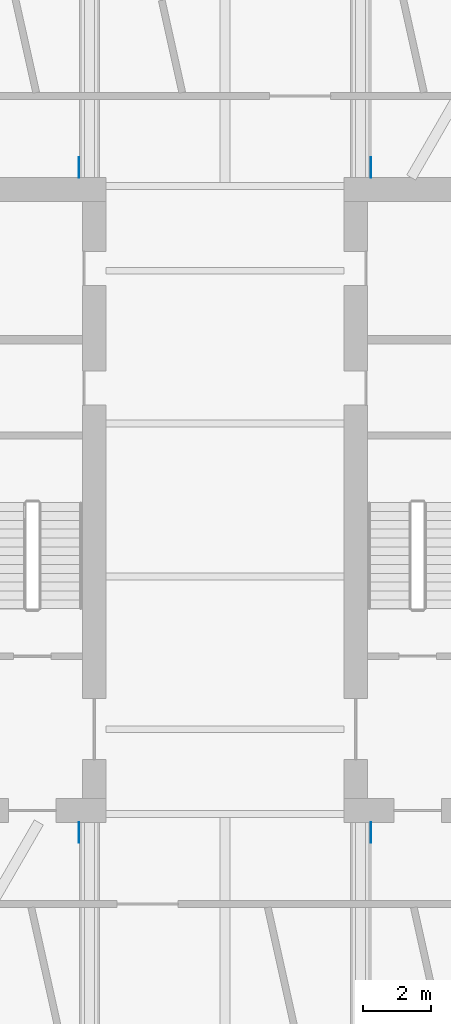
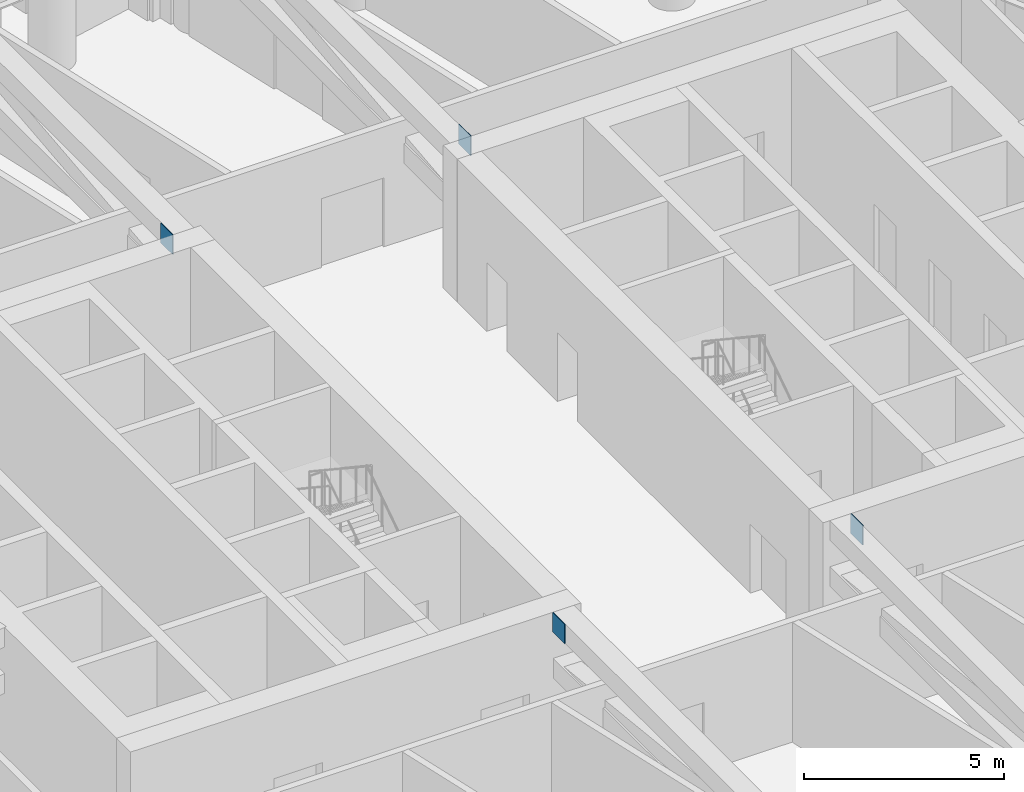
# One storey, part 15 of 22: 4 discrete accessories.
"""IFC4 building model written with IfcOpenShell, lengths in metres."""

import ifcopenshell
import ifcopenshell.guid

model = None  # the IFC model being written
_history = None  # IfcOwnerHistory: only IFC2X3 demands one
_inside = {}  # id of a spatial element -> (the spatial element, [elements in it])
_under = {}  # id of a project, library or spatial element -> (it, [spatial elements below it])
_declared = {}  # id of a project -> (the project, [libraries it declares])
_typed = {}  # id of a type object -> (the type object, [elements of that type])
_made_of = {}  # id of a material, layer set ... -> (it, [elements and type objects made of it])


def new_model(schema):
    """Start an empty IFC model of exactly this schema.

    Asked for "IFC4X3", IfcOpenShell would pick the latest addendum, in which some entities
    have other attributes; the version numbers below select the first issue.
    IFC2X3 requires an IfcOwnerHistory on every rooted entity: one is made here for all.
    """
    global model, _history
    if schema == "IFC4X3":
        model = ifcopenshell.file(schema_version=(4, 3, 0, 0))
    else:
        model = ifcopenshell.file(schema=schema)
    _inside.clear()
    _under.clear()
    _declared.clear()
    _typed.clear()
    _made_of.clear()
    _history = None
    if model.schema == "IFC2X3":
        org = make("IfcOrganization", Name="unknown")
        user = make(
            "IfcPersonAndOrganization",
            ThePerson=make("IfcPerson", FamilyName="unknown"),
            TheOrganization=org,
        )
        app = make(
            "IfcApplication",
            ApplicationDeveloper=org,
            Version="unknown",
            ApplicationFullName="unknown",
            ApplicationIdentifier="unknown",
        )
        _history = make(
            "IfcOwnerHistory",
            OwningUser=user,
            OwningApplication=app,
            ChangeAction="ADDED",
            CreationDate=0,
        )
    return model


def make(cls, **values):
    """One entity of the class cls with the attributes given. An attribute that is None is left unset."""
    return model.create_entity(
        cls, **{name: value for name, value in values.items() if value is not None}
    )


def rooted(cls, **values):
    """An entity with a GlobalId (a new one), such as an element, a storey or a relation."""
    return make(cls, GlobalId=ifcopenshell.guid.new(), OwnerHistory=_history, **values)


def si_unit(unit_type, name, prefix=None):
    """IfcSIUnit, for example si_unit("LENGTHUNIT", "METRE", prefix="MILLI")."""
    return make("IfcSIUnit", UnitType=unit_type, Prefix=prefix, Name=name)


def assignment(units):
    """IfcUnitAssignment: the units of a project."""
    return None if units is None else make("IfcUnitAssignment", Units=units)


def point(xyz):
    """IfcCartesianPoint."""
    return None if xyz is None else make("IfcCartesianPoint", Coordinates=xyz)


def direction(xyz):
    """IfcDirection."""
    return None if xyz is None else make("IfcDirection", DirectionRatios=xyz)


def frame(location, z_axis=None, x_axis=None):
    """IfcAxis2Placement3D, a coordinate frame: its origin and axes. An axis left out is left unset."""
    return make(
        "IfcAxis2Placement3D",
        Location=point(location),
        Axis=direction(z_axis),
        RefDirection=direction(x_axis),
    )


def frame_2d(location, x_axis=None):
    """IfcAxis2Placement2D, a coordinate frame in the plane: its origin and x axis."""
    return make(
        "IfcAxis2Placement2D", Location=point(location), RefDirection=direction(x_axis)
    )


def origin():
    """The frame at (0, 0, 0) with its axes left unset."""
    return frame((0.0, 0.0, 0.0))


def origin_2d():
    """The frame at (0, 0) in the plane with its x axis left unset."""
    return frame_2d((0.0, 0.0))


def place(relative_to, where):
    """IfcLocalPlacement: puts the frame where relative to a parent placement (None: the world)."""
    return make(
        "IfcLocalPlacement", PlacementRelTo=relative_to, RelativePlacement=where
    )


def context(
    kind, dimensions, precision=None, world=None, true_north=None, identifier=None
):
    """IfcGeometricRepresentationContext, for example the 3D "Model" context."""
    return make(
        "IfcGeometricRepresentationContext",
        ContextIdentifier=identifier,
        ContextType=kind,
        CoordinateSpaceDimension=dimensions,
        Precision=precision,
        WorldCoordinateSystem=world,
        TrueNorth=true_north,
    )


def subcontext(parent, identifier, kind, view, scale=None):
    """IfcGeometricRepresentationSubContext, for example "Body" below "Model"."""
    return make(
        "IfcGeometricRepresentationSubContext",
        ContextIdentifier=identifier,
        ContextType=kind,
        ParentContext=parent,
        TargetScale=scale,
        TargetView=view,
    )


def project(units=None, contexts=None):
    """IfcProject with its units and contexts."""
    return rooted(
        "IfcProject",
        Name="project",
        RepresentationContexts=contexts,
        UnitsInContext=assignment(units),
    )


def spatial(cls, under=None, at=None, **own):
    """A site, building, storey or space (cls), placed at a placement, below another one or the project."""
    s = rooted(cls, ObjectPlacement=at, **own)
    if under is not None:
        _under.setdefault(under.id(), (under, []))[1].append(s)
    return s


def profile(cls, at=None, kind="AREA", **sizes):
    """A parametric profile (cls). Its sizes go by their IFC names, for example OverallWidth=200.0."""
    return make(cls, ProfileType=kind, Position=at, **sizes)


def rectangle(**sizes):
    """IfcRectangleProfileDef."""
    return profile("IfcRectangleProfileDef", **sizes)


def extrude(swept, where, along, depth):
    """IfcExtrudedAreaSolid: the profile swept, set in the frame where, extruded along a direction by depth."""
    return make(
        "IfcExtrudedAreaSolid",
        SweptArea=swept,
        Position=where,
        ExtrudedDirection=direction(along),
        Depth=depth,
    )


def shape(context_of_items, identifier, shape_type, items):
    """IfcShapeRepresentation: the items that make up one representation, for example the "Body"."""
    return make(
        "IfcShapeRepresentation",
        ContextOfItems=context_of_items,
        RepresentationIdentifier=identifier,
        RepresentationType=shape_type,
        Items=items,
    )


def material(Name=None, Category=None):
    """IfcMaterial."""
    return make("IfcMaterial", Name=Name, Category=Category)


def made_of(thing, what):
    """Note that an element or type object is made of a material, layer set ...; save() writes the relation."""
    if what is not None:
        _made_of.setdefault(what.id(), (what, []))[1].append(thing)
    return thing


def type_object(cls, material=None, **own):
    """A type object (cls), such as IfcWallType, which elements share."""
    return made_of(rooted(cls, **own), material)


def element(
    cls,
    number,
    at=None,
    inside=None,
    cuts=None,
    type_object=None,
    material=None,
    context=None,
    identifier="Body",
    shape_type=None,
    held_by="IfcProductDefinitionShape",
    body=None,
    shapes=None,
    **own,
):
    """One element of the class cls, such as IfcWall. Its Tag is "e" and its number.

    at: its placement. inside: the storey or other place that contains it. cuts: it is an
    opening in that element (IfcRelVoidsElement). A single representation is given by context,
    identifier, shape_type and body (its items); several are given by shapes. held_by: the class
    of the entity that holds the representations. save() writes the other relations.
    """
    e = rooted(cls, Tag="e%d" % number, ObjectPlacement=at, **own)
    if body is not None:
        shapes = [shape(context, identifier, shape_type, body)]
    if shapes is not None:
        e.Representation = make(held_by, Representations=shapes)
    if inside is not None:
        _inside.setdefault(inside.id(), (inside, []))[1].append(e)
    if cuts is not None:
        rooted(
            "IfcRelVoidsElement", RelatingBuildingElement=cuts, RelatedOpeningElement=e
        )
    if type_object is not None:
        _typed.setdefault(type_object.id(), (type_object, []))[1].append(e)
    return made_of(e, material)


def aggregate(whole, parts):
    """IfcRelAggregates: a whole, such as a stair, and the parts it consists of."""
    return rooted("IfcRelAggregates", RelatingObject=whole, RelatedObjects=parts)


def save(model, path):
    """Write the relations noted so far, then the file.

    IfcRelAggregates (storeys below a building ...), IfcRelContainedInSpatialStructure (elements
    in a storey), IfcRelDefinesByType, IfcRelAssociatesMaterial and IfcRelDeclares: one each for
    every whole, place, type object, material and project.
    """
    for whole, parts in _under.values():
        aggregate(whole, parts)
    for where, things in _inside.values():
        rooted(
            "IfcRelContainedInSpatialStructure",
            RelatedElements=things,
            RelatingStructure=where,
        )
    for kind, things in _typed.values():
        rooted("IfcRelDefinesByType", RelatedObjects=things, RelatingType=kind)
    for what, things in _made_of.values():
        rooted("IfcRelAssociatesMaterial", RelatedObjects=things, RelatingMaterial=what)
    for by, libraries in _declared.values():
        rooted("IfcRelDeclares", RelatingContext=by, RelatedDefinitions=libraries)
    model.write(path)


model = new_model("IFC4")

# Units and contexts
model_context = context("Model", 3, precision=1e-05, world=origin(), true_north=direction((0.0, 1.0)))
body_context = subcontext(model_context, "Body", "Model", "MODEL_VIEW")
ifc_project = project(units=[si_unit("LENGTHUNIT", "METRE"), si_unit("AREAUNIT", "SQUARE_METRE"), si_unit("VOLUMEUNIT", "CUBIC_METRE"), si_unit("PLANEANGLEUNIT", "RADIAN"), si_unit("MASSUNIT", "GRAM", prefix="KILO")], contexts=[model_context])

# Site, building, storey
site_placement = place(None, origin())
site = spatial("IfcSite", under=ifc_project, at=site_placement, CompositionType="ELEMENT")
building_placement = place(site_placement, origin())
building = spatial("IfcBuilding", under=site, at=building_placement, Name="Tamarind Cross Interchange Tower", CompositionType="ELEMENT")
storey_placement = place(building_placement, frame((0.0, 0.0, 79.0)))
storey = spatial("IfcBuildingStorey", under=building, at=storey_placement, Name="L18", CompositionType="ELEMENT", Elevation=79.0)

# Discrete accessories
ifc_material = material(Name="Steel Q420B", Category="steel")
discrete_accessory_type = type_object("IfcDiscreteAccessoryType", Name="Gusset plate 20 mm Steel Q420B", PredefinedType="BRACKET", material=ifc_material)
for number, where, z_axis, x_axis, name in (
    (1, (4.303955078125, 9.800048828125, 3.760009765625), (0.0, 0.0, 1.0), (1.0, 0.0, 0.0), "Gusset plate H08"),
    (2, (-4.303955078125, 9.800048828125, 3.760009765625), (0.0, 0.0, 1.0), (1.0, 0.0, 0.0), "Gusset plate H10"),
    (3, (-4.303955078125, -9.800048828125, 3.760009765625), (0.0, 0.0, 1.0), (1.0, 0.0, 0.0), "Gusset plate H26"),
    (4, (4.303955078125, -9.800048828125, 3.760009765625), (0.0, 0.0, 1.0), (1.0, 0.0, 0.0), "Gusset plate H28"),
):
    element("IfcDiscreteAccessory", number, at=place(storey_placement, frame(where, z_axis=z_axis, x_axis=x_axis)), inside=storey, type_object=discrete_accessory_type, Name=name, PredefinedType="BRACKET", context=body_context, shape_type="SweptSolid", body=[
        extrude(rectangle(XDim=0.02001953125, YDim=0.60009765625, at=origin_2d()), origin(), (0.0, 0.0, 1.0), 0.60009765625),
    ])

save(model, "model.ifc")
